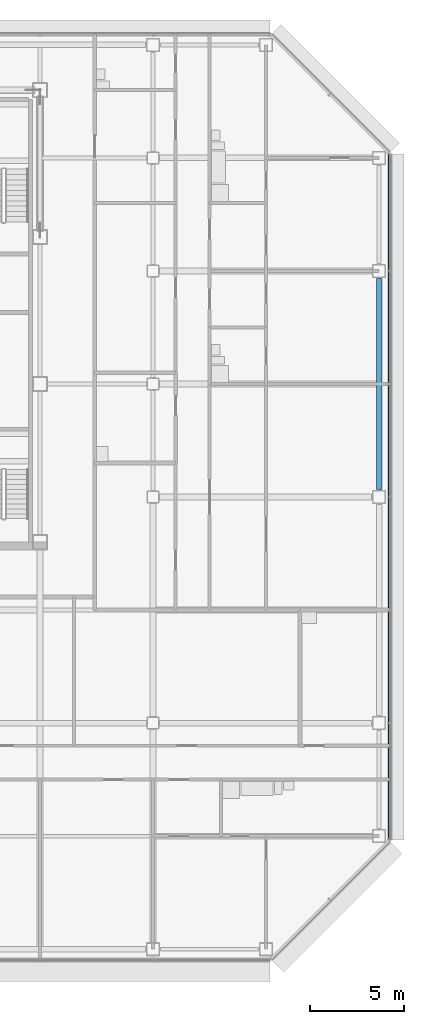
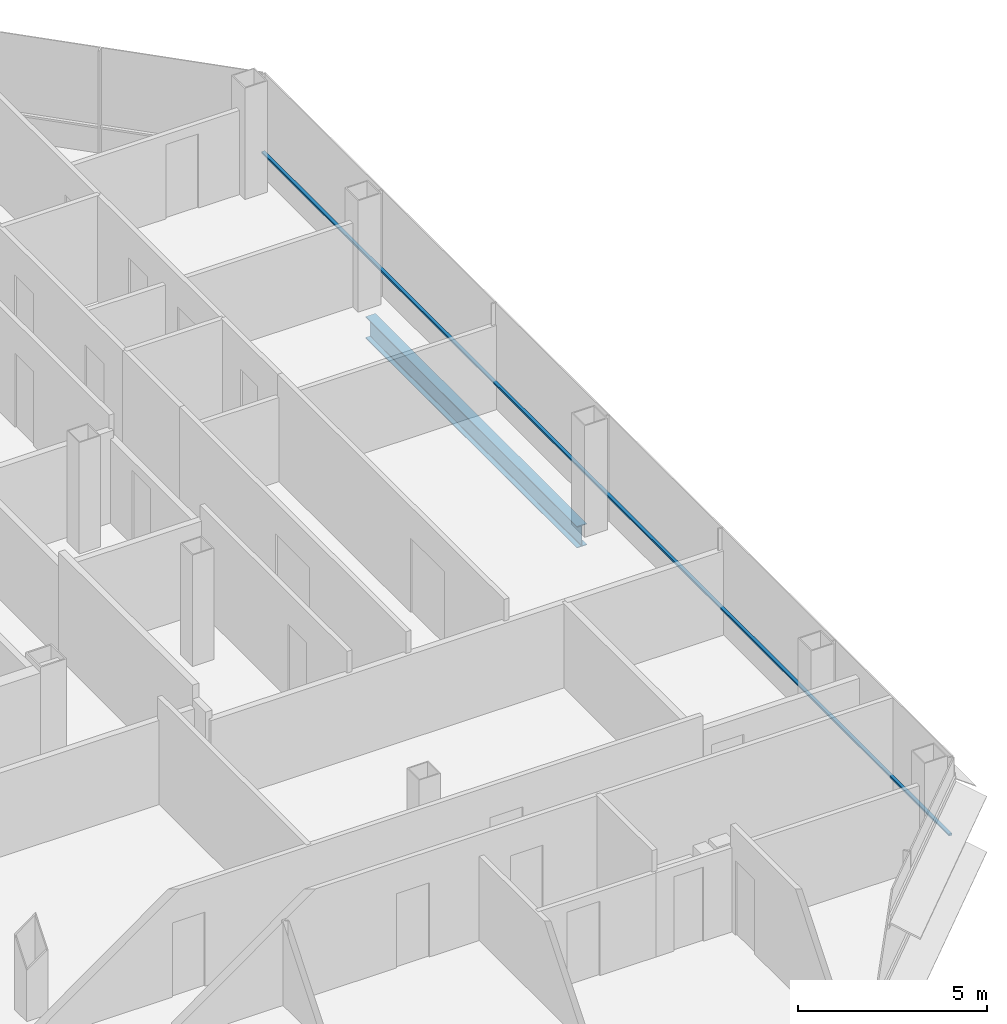
# One storey, part 16 of 26: 1 beam, 1 member, 1 element without a shape of its own.
"""IFC4 building model written with IfcOpenShell, lengths in metres."""

from ifc_helpers import new_model, si_unit, direction, frame, origin, origin_2d, place, context, subcontext, project, spatial, rectangle, i_section, extrude, material, material_profile, profile_set, type_object, element, aggregate, save


model = new_model("IFC4")

# Units and contexts
model_context = context("Model", 3, precision=1e-05, world=origin(), true_north=direction((0.0, 1.0)))
body_context = subcontext(model_context, "Body", "Model", "MODEL_VIEW")
ifc_project = project(units=[si_unit("LENGTHUNIT", "METRE"), si_unit("AREAUNIT", "SQUARE_METRE"), si_unit("VOLUMEUNIT", "CUBIC_METRE"), si_unit("PLANEANGLEUNIT", "RADIAN"), si_unit("MASSUNIT", "GRAM", prefix="KILO")], contexts=[model_context])

# Site, building, storey
site_placement = place(None, origin())
site = spatial("IfcSite", under=ifc_project, at=site_placement, CompositionType="ELEMENT")
building_placement = place(site_placement, origin())
building = spatial("IfcBuilding", under=site, at=building_placement, Name="Sorahane Residences", CompositionType="ELEMENT")
storey_placement = place(building_placement, frame((0.0, 0.0, 147.39990234375)))
storey = spatial("IfcBuildingStorey", under=building, at=storey_placement, Name="L33", CompositionType="ELEMENT", Elevation=147.39990234375)

# Curtain wall, member
ifc_material_1 = material(Name="Dark low-e glass and black anodised aluminium", Category="aluminium")
curtain_wall_type = type_object("IfcCurtainWallType", Name="Curtain wall CW-1 Typical unitised wall", PredefinedType="NOTDEFINED", material=ifc_material_1)
curtain_wall_placement = place(storey_placement, origin())
curtain_wall = element("IfcCurtainWall", 1, at=curtain_wall_placement, inside=storey, type_object=curtain_wall_type, Name="CW-1 curtain wall L33 E1", PredefinedType="NOTDEFINED")
ifc_material_2 = material(Name="Black anodised aluminium", Category="aluminium")
ifc_material_profile_1 = material_profile(ifc_material_2, rectangle(XDim=0.10009765625, YDim=0.06005859375, at=origin_2d()), Name="Curtain wall transom CW-1 black anodised aluminium 60x100")
ifc_profile_set_1 = profile_set([ifc_material_profile_1], Name="Black anodised aluminium")
member_type = type_object("IfcMemberType", Name="Curtain wall transom CW-1 black anodised aluminium 60x100", PredefinedType="USERDEFINED", material=ifc_profile_set_1)
member_placement = place(storey_placement, frame((60.530029296875, 5.801513671875, 0.900146484375), z_axis=(0.0, 1.0, 0.0), x_axis=(-1.0, 0.0, 0.0)))
member = element("IfcMember", 2, at=member_placement, type_object=member_type, Name="CW-1 transom L33 E1", ObjectType="TRANSOM", PredefinedType="USERDEFINED", context=body_context, shape_type="SweptSolid", body=[
    extrude(rectangle(XDim=0.10009765625, YDim=0.06005859375, at=origin_2d()), origin(), (0.0, 0.0, 1.0), 36.39697265625),
])
aggregate(curtain_wall, [member])

# Beam
ifc_material_3 = material(Name="Steel Q355B", Category="steel")
ifc_material_profile_2 = material_profile(ifc_material_3, i_section(OverallWidth=0.300048828125, OverallDepth=0.699951171875, WebThickness=0.012939453125, FlangeThickness=0.02392578125, FilletRadius=0.028076171875, at=origin_2d()), Name="HN 700x300x13x24")
ifc_profile_set_2 = profile_set([ifc_material_profile_2], Name="Steel Q355B")
beam_type = type_object("IfcBeamType", Name="Steel floor beam HN 700x300x13x24 Q355B", PredefinedType="BEAM", material=ifc_profile_set_2)
beam_placement = place(storey_placement, frame((60.0, 24.39990234375, -0.52978515625), z_axis=(0.0, 1.0, 0.0), x_axis=(-1.0, 0.0, 0.0)))
element("IfcBeam", 3, at=beam_placement, inside=storey, type_object=beam_type, Name="Beam L33 066", PredefinedType="BEAM", context=body_context, shape_type="SweptSolid", body=[
    extrude(i_section(OverallWidth=0.300048828125, OverallDepth=0.699951171875, WebThickness=0.012939453125, FlangeThickness=0.02392578125, FilletRadius=0.028076171875, at=origin_2d()), origin(), (0.0, 0.0, 1.0), 11.2001953125),
])

save(model, "model.ifc")
